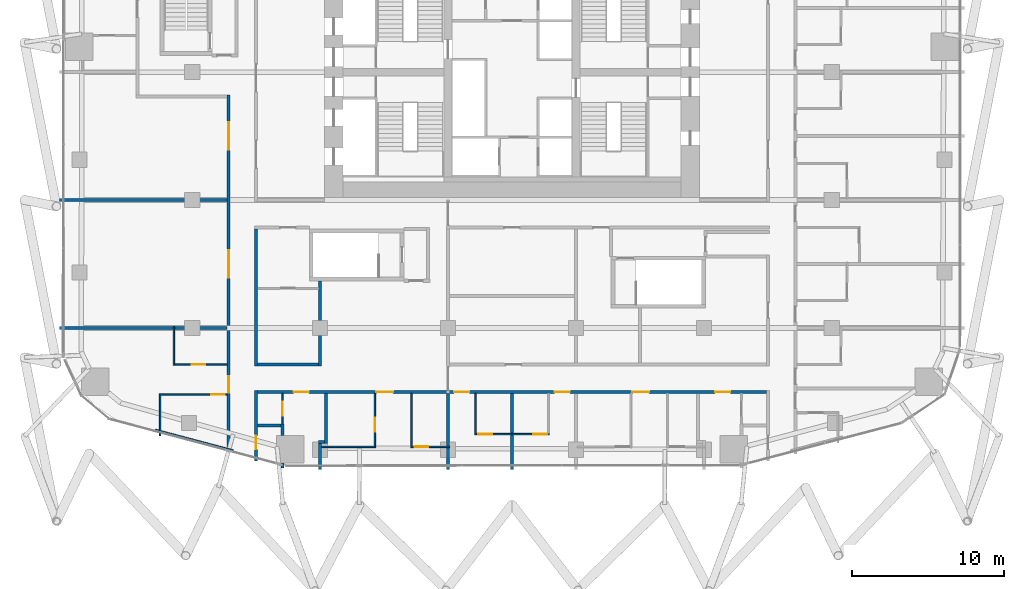
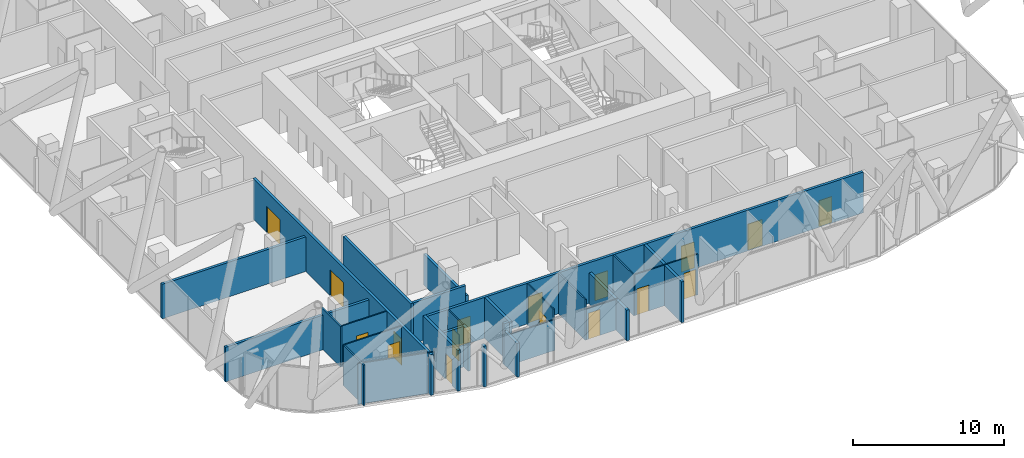
# One storey, part 27 of 36: 28 walls, 17 doors, 17 openings.
"""IFC4 building model written with IfcOpenShell, lengths in metres."""

from ifc_helpers import new_model, si_unit, direction, frame, frame_2d, origin, place, context, subcontext, project, spatial, rectangle, extrude, material, layer, layer_set, type_object, element, fill, save


model = new_model("IFC4")

# Units and contexts
model_context = context("Model", 3, precision=1e-05, world=origin(), true_north=direction((0.0, 1.0)))
body_context = subcontext(model_context, "Body", "Model", "MODEL_VIEW")
ifc_project = project(units=[si_unit("LENGTHUNIT", "METRE"), si_unit("AREAUNIT", "SQUARE_METRE"), si_unit("VOLUMEUNIT", "CUBIC_METRE"), si_unit("PLANEANGLEUNIT", "RADIAN"), si_unit("MASSUNIT", "GRAM", prefix="KILO")], contexts=[model_context])

# Site, building, storey
site_placement = place(None, origin())
site = spatial("IfcSite", under=ifc_project, at=site_placement, CompositionType="ELEMENT")
building_placement = place(site_placement, origin())
building = spatial("IfcBuilding", under=site, at=building_placement, Name="Marenta Gate Hotel Tower", CompositionType="ELEMENT")
storey_placement = place(building_placement, frame((0.0, 0.0, 83.300048828125)))
storey = spatial("IfcBuildingStorey", under=building, at=storey_placement, Name="L19", CompositionType="ELEMENT", Elevation=83.300048828125)

# Wall
ifc_material_1 = material(Name="Concrete blockwork", Category="masonry")
ifc_layer_1 = layer(ifc_material_1, 0.199951171875)
ifc_layer_set_1 = layer_set([ifc_layer_1], Name="Concrete blockwork")
wall_type_1 = type_object("IfcWallType", Name="Compartment wall 200 REI 180", PredefinedType="PARTITIONING", material=ifc_layer_set_1)
wall_1_placement = place(storey_placement, frame((-4.199951171875, -17.699951171875, 0.0), z_axis=(0.0, 0.0, 1.0), x_axis=(0.0, 1.0, 0.0)))
element("IfcWall", 1, at=wall_1_placement, inside=storey, type_object=wall_type_1, Name="L19-PTN-W078", PredefinedType="PARTITIONING", context=body_context, shape_type="SweptSolid", body=[
    extrude(rectangle(XDim=5.0, YDim=0.199951171875, at=frame_2d((2.5, 0.0))), origin(), (0.0, 0.0, 1.0), 2.48583984375),
])

# Wall, opening, door
ifc_material_2 = material(Name="Concrete blockwork", Category="masonry")
ifc_layer_2 = layer(ifc_material_2, 0.199951171875)
ifc_layer_set_2 = layer_set([ifc_layer_2], Name="Concrete blockwork")
wall_type_2 = type_object("IfcWallType", Name="Room corridor wall 200 EI 120", PredefinedType="PARTITIONING", material=ifc_layer_set_2)
wall_2_placement = place(storey_placement, frame((-16.800048828125, -17.14306640625, 0.0), z_axis=(0.0, 0.0, 1.0), x_axis=(0.0, 1.0, 0.0)))
wall_2 = element("IfcWall", 2, at=wall_2_placement, inside=storey, type_object=wall_type_2, Name="L19-PTN-W107", PredefinedType="PARTITIONING", context=body_context, shape_type="SweptSolid", body=[
    extrude(rectangle(XDim=4.64306640625, YDim=0.199951171875, at=frame_2d((2.321533203125, 0.0))), origin(), (0.0, 0.0, 1.0), 3.300048828125),
])
opening_1_placement = place(wall_2_placement, frame((0.77197265625, 0.0, 0.0)))
opening_1 = element("IfcOpeningElement", 3, at=opening_1_placement, cuts=wall_2, Name="Opening G07-78", PredefinedType="OPENING", context=body_context, shape_type="SweptSolid", body=[
    extrude(rectangle(XDim=0.89990234375, YDim=2.10009765625, at=frame_2d((0.449951171875, 1.050048828125))), frame((0.0, 0.10009765625, 0.0), z_axis=(0.0, -1.0, 0.0), x_axis=(1.0, 0.0, 0.0)), (0.0, 0.0, 1.0), 0.199951171875),
])
ifc_material_3 = material(Name="Hollow steel door set", Category="steel")
door_type_1 = type_object("IfcDoorType", Name="Room service door 900x2100 EI 60", OperationType="NOTDEFINED", PredefinedType="DOOR", material=ifc_material_3)
door_1_placement = place(opening_1_placement, origin())
door_1 = element("IfcDoor", 4, at=door_1_placement, inside=storey, type_object=door_type_1, Name="L19-PD-D078", OperationType="SINGLE_SWING_LEFT", OverallHeight=2.10009765625, OverallWidth=0.89990234375, PredefinedType="DOOR", context=body_context, shape_type="SweptSolid", body=[
    extrude(rectangle(XDim=0.89990234375, YDim=2.10009765625, at=frame_2d((0.449951171875, 1.050048828125))), frame((0.0, 0.02490234375, 0.0), z_axis=(0.0, -1.0, 0.0), x_axis=(1.0, 0.0, 0.0)), (0.0, 0.0, 1.0), 0.050048828125),
])
fill(opening_1, door_1)

# Wall, openings, doors
ifc_material_4 = material(Name="Gypsum board on steel stud", Category="steel")
ifc_layer_3 = layer(ifc_material_4, 0.199951171875)
ifc_layer_set_3 = layer_set([ifc_layer_3], Name="Gypsum board on steel stud")
wall_type_3 = type_object("IfcWallType", Name="Room corridor wall 200 EI 60", PredefinedType="PARTITIONING", material=ifc_layer_set_3)
wall_3_placement = place(storey_placement, frame((-16.699951171875, -12.60009765625, 0.0), z_axis=(0.0, 0.0, 1.0), x_axis=(1.0, 0.0, 0.0)))
wall_3 = element("IfcWall", 5, at=wall_3_placement, inside=storey, type_object=wall_type_3, Name="L19-PTN-W037", PredefinedType="PARTITIONING", context=body_context, shape_type="SweptSolid", body=[
    extrude(rectangle(XDim=33.39990234375, YDim=0.199951171875, at=frame_2d((16.699951171875, 0.0))), origin(), (0.0, 0.0, 1.0), 3.300048828125),
])
opening_2_placement = place(wall_3_placement, frame((7.800048828125, 0.0, 0.0)))
opening_2 = element("IfcOpeningElement", 6, at=opening_2_placement, cuts=wall_3, Name="Opening G07-41", PredefinedType="OPENING", context=body_context, shape_type="SweptSolid", body=[
    extrude(rectangle(XDim=1.10009765625, YDim=2.10009765625, at=frame_2d((0.550048828125, 1.050048828125))), frame((0.0, 0.10009765625, 0.0), z_axis=(0.0, -1.0, 0.0), x_axis=(1.0, 0.0, 0.0)), (0.0, 0.0, 1.0), 0.199951171875),
])
opening_3_placement = place(wall_3_placement, frame((12.89990234375, 0.0, 0.0)))
opening_3 = element("IfcOpeningElement", 7, at=opening_3_placement, cuts=wall_3, Name="Opening G07-44", PredefinedType="OPENING", context=body_context, shape_type="SweptSolid", body=[
    extrude(rectangle(XDim=1.0, YDim=2.10009765625, at=frame_2d((0.5, 1.050048828125))), frame((0.0, 0.10009765625, 0.0), z_axis=(0.0, -1.0, 0.0), x_axis=(1.0, 0.0, 0.0)), (0.0, 0.0, 1.0), 0.199951171875),
])
opening_4_placement = place(wall_3_placement, frame((19.5, 0.0, 0.0)))
opening_4 = element("IfcOpeningElement", 8, at=opening_4_placement, cuts=wall_3, Name="Opening G07-46", PredefinedType="OPENING", context=body_context, shape_type="SweptSolid", body=[
    extrude(rectangle(XDim=1.0, YDim=2.10009765625, at=frame_2d((0.5, 1.050048828125))), frame((0.0, 0.10009765625, 0.0), z_axis=(0.0, -1.0, 0.0), x_axis=(1.0, 0.0, 0.0)), (0.0, 0.0, 1.0), 0.199951171875),
])
opening_5_placement = place(wall_3_placement, frame((24.60009765625, 0.0, 0.0)))
opening_5 = element("IfcOpeningElement", 9, at=opening_5_placement, cuts=wall_3, Name="Opening G07-48", PredefinedType="OPENING", context=body_context, shape_type="SweptSolid", body=[
    extrude(rectangle(XDim=1.10009765625, YDim=2.10009765625, at=frame_2d((0.550048828125, 1.050048828125))), frame((0.0, 0.10009765625, 0.0), z_axis=(0.0, -1.0, 0.0), x_axis=(1.0, 0.0, 0.0)), (0.0, 0.0, 1.0), 0.199951171875),
])
opening_6_placement = place(wall_3_placement, frame((2.366943359375, 0.0, 0.0)))
opening_6 = element("IfcOpeningElement", 10, at=opening_6_placement, cuts=wall_3, Name="Opening G07-76", PredefinedType="OPENING", context=body_context, shape_type="SweptSolid", body=[
    extrude(rectangle(XDim=1.0, YDim=2.10009765625, at=frame_2d((0.5, 1.050048828125))), frame((0.0, 0.10009765625, 0.0), z_axis=(0.0, -1.0, 0.0), x_axis=(1.0, 0.0, 0.0)), (0.0, 0.0, 1.0), 0.199951171875),
])
opening_7_placement = place(wall_3_placement, frame((30.032958984375, 0.0, 0.0)))
opening_7 = element("IfcOpeningElement", 11, at=opening_7_placement, cuts=wall_3, Name="Opening G07-79", PredefinedType="OPENING", context=body_context, shape_type="SweptSolid", body=[
    extrude(rectangle(XDim=1.0, YDim=2.10009765625, at=frame_2d((0.5, 1.050048828125))), frame((0.0, 0.10009765625, 0.0), z_axis=(0.0, -1.0, 0.0), x_axis=(1.0, 0.0, 0.0)), (0.0, 0.0, 1.0), 0.199951171875),
])
ifc_material_5 = material(Name="Timber door leaf", Category="wood")
door_type_2 = type_object("IfcDoorType", Name="Guest room door 1000x2100 EI 30", OperationType="NOTDEFINED", PredefinedType="DOOR", material=ifc_material_5)
door_2_placement = place(opening_3_placement, origin())
door_2 = element("IfcDoor", 12, at=door_2_placement, inside=storey, type_object=door_type_2, Name="L19-PD-D044", OperationType="SINGLE_SWING_RIGHT", OverallHeight=2.10009765625, OverallWidth=1.0, PredefinedType="DOOR", context=body_context, shape_type="SweptSolid", body=[
    extrude(rectangle(XDim=1.0, YDim=2.10009765625, at=frame_2d((0.5, 1.050048828125))), frame((0.0, 0.02490234375, 0.0), z_axis=(0.0, -1.0, 0.0), x_axis=(1.0, 0.0, 0.0)), (0.0, 0.0, 1.0), 0.050048828125),
])
fill(opening_3, door_2)
door_3_placement = place(opening_4_placement, origin())
door_3 = element("IfcDoor", 13, at=door_3_placement, inside=storey, type_object=door_type_2, Name="L19-PD-D046", OperationType="SINGLE_SWING_RIGHT", OverallHeight=2.10009765625, OverallWidth=1.0, PredefinedType="DOOR", context=body_context, shape_type="SweptSolid", body=[
    extrude(rectangle(XDim=1.0, YDim=2.10009765625, at=frame_2d((0.5, 1.050048828125))), frame((0.0, 0.02490234375, 0.0), z_axis=(0.0, -1.0, 0.0), x_axis=(1.0, 0.0, 0.0)), (0.0, 0.0, 1.0), 0.050048828125),
])
fill(opening_4, door_3)
door_4_placement = place(opening_6_placement, origin())
door_4 = element("IfcDoor", 14, at=door_4_placement, inside=storey, type_object=door_type_2, Name="L19-PD-D076", OperationType="SINGLE_SWING_RIGHT", OverallHeight=2.10009765625, OverallWidth=1.0, PredefinedType="DOOR", context=body_context, shape_type="SweptSolid", body=[
    extrude(rectangle(XDim=1.0, YDim=2.10009765625, at=frame_2d((0.5, 1.050048828125))), frame((0.0, 0.02490234375, 0.0), z_axis=(0.0, -1.0, 0.0), x_axis=(1.0, 0.0, 0.0)), (0.0, 0.0, 1.0), 0.050048828125),
])
fill(opening_6, door_4)
door_5_placement = place(opening_7_placement, origin())
door_5 = element("IfcDoor", 15, at=door_5_placement, inside=storey, type_object=door_type_2, Name="L19-PD-D079", OperationType="SINGLE_SWING_LEFT", OverallHeight=2.10009765625, OverallWidth=1.0, PredefinedType="DOOR", context=body_context, shape_type="SweptSolid", body=[
    extrude(rectangle(XDim=1.0, YDim=2.10009765625, at=frame_2d((0.5, 1.050048828125))), frame((0.0, 0.02490234375, 0.0), z_axis=(0.0, -1.0, 0.0), x_axis=(1.0, 0.0, 0.0)), (0.0, 0.0, 1.0), 0.050048828125),
])
fill(opening_7, door_5)
ifc_material_6 = material(Name="Timber door leaf", Category="wood")
door_type_3 = type_object("IfcDoorType", Name="Guest room door 1100x2100 EI 30", OperationType="NOTDEFINED", PredefinedType="DOOR", material=ifc_material_6)
door_6_placement = place(opening_2_placement, origin())
door_6 = element("IfcDoor", 16, at=door_6_placement, inside=storey, type_object=door_type_3, Name="L19-PD-D041", OperationType="SINGLE_SWING_RIGHT", OverallHeight=2.10009765625, OverallWidth=1.10009765625, PredefinedType="DOOR", context=body_context, shape_type="SweptSolid", body=[
    extrude(rectangle(XDim=1.10009765625, YDim=2.10009765625, at=frame_2d((0.550048828125, 1.050048828125))), frame((0.0, 0.02490234375, 0.0), z_axis=(0.0, -1.0, 0.0), x_axis=(1.0, 0.0, 0.0)), (0.0, 0.0, 1.0), 0.050048828125),
])
fill(opening_2, door_6)
door_7_placement = place(opening_5_placement, origin())
door_7 = element("IfcDoor", 17, at=door_7_placement, inside=storey, type_object=door_type_3, Name="L19-PD-D048", OperationType="SINGLE_SWING_RIGHT", OverallHeight=2.10009765625, OverallWidth=1.10009765625, PredefinedType="DOOR", context=body_context, shape_type="SweptSolid", body=[
    extrude(rectangle(XDim=1.10009765625, YDim=2.10009765625, at=frame_2d((0.550048828125, 1.050048828125))), frame((0.0, 0.02490234375, 0.0), z_axis=(0.0, -1.0, 0.0), x_axis=(1.0, 0.0, 0.0)), (0.0, 0.0, 1.0), 0.050048828125),
])
fill(opening_5, door_7)

# Walls
wall_4_placement = place(storey_placement, frame((-16.699951171875, -10.800048828125, 0.0), z_axis=(0.0, 0.0, 1.0), x_axis=(1.0, 0.0, 0.0)))
element("IfcWall", 18, at=wall_4_placement, inside=storey, type_object=wall_type_3, Name="L19-PTN-W042", PredefinedType="PARTITIONING", context=body_context, shape_type="SweptSolid", body=[
    extrude(rectangle(XDim=4.0, YDim=0.199951171875, at=frame_2d((2.0, 0.0))), origin(), (0.0, 0.0, 1.0), 3.300048828125),
])
wall_5_placement = place(storey_placement, frame((-12.60009765625, -10.89990234375, 0.0), z_axis=(0.0, 0.0, 1.0), x_axis=(0.0, 1.0, 0.0)))
element("IfcWall", 19, at=wall_5_placement, inside=storey, type_object=wall_type_3, Name="L19-PTN-W099", PredefinedType="PARTITIONING", context=body_context, shape_type="SweptSolid", body=[
    extrude(rectangle(XDim=5.599853515625, YDim=0.199951171875, at=frame_2d((2.7998046875, 0.0))), origin(), (0.0, 0.0, 1.0), 2.48583984375),
])
wall_6_placement = place(storey_placement, frame((-16.800048828125, -10.89990234375, 0.0), z_axis=(0.0, 0.0, 1.0), x_axis=(0.0, 1.0, 0.0)))
element("IfcWall", 20, at=wall_6_placement, inside=storey, type_object=wall_type_3, Name="L19-PTN-W108", PredefinedType="PARTITIONING", context=body_context, shape_type="SweptSolid", body=[
    extrude(rectangle(XDim=9.0, YDim=0.199951171875, at=frame_2d((4.5, 0.0))), origin(), (0.0, 0.0, 1.0), 3.300048828125),
])

# Wall, openings, doors
wall_7_placement = place(storey_placement, frame((-18.60009765625, -16.6650390625, 0.0), z_axis=(0.0, 0.0, 1.0), x_axis=(0.0, 1.0, 0.0)))
wall_7 = element("IfcWall", 21, at=wall_7_placement, inside=storey, type_object=wall_type_3, Name="L19-PTN-W116", PredefinedType="PARTITIONING", context=body_context, shape_type="SweptSolid", body=[
    extrude(rectangle(XDim=23.56494140625, YDim=0.199951171875, at=frame_2d((11.782470703125, 0.0))), origin(), (0.0, 0.0, 1.0), 3.300048828125),
])
opening_8_placement = place(wall_7_placement, frame((4.0, 0.0, 0.0)))
opening_8 = element("IfcOpeningElement", 22, at=opening_8_placement, cuts=wall_7, Name="Opening G07-51", PredefinedType="OPENING", context=body_context, shape_type="SweptSolid", body=[
    extrude(rectangle(XDim=1.10009765625, YDim=2.10009765625, at=frame_2d((0.550048828125, 1.050048828125))), frame((0.0, 0.10009765625, 0.0), z_axis=(0.0, -1.0, 0.0), x_axis=(1.0, 0.0, 0.0)), (0.0, 0.0, 1.0), 0.199951171875),
])
opening_9_placement = place(wall_7_placement, frame((11.56494140625, 0.0, 0.0)))
opening_9 = element("IfcOpeningElement", 23, at=opening_9_placement, cuts=wall_7, Name="Opening G07-54", PredefinedType="OPENING", context=body_context, shape_type="SweptSolid", body=[
    extrude(rectangle(XDim=1.800048828125, YDim=2.10009765625, at=frame_2d((0.89990234375, 1.050048828125))), frame((0.0, 0.10009765625, 0.0), z_axis=(0.0, -1.0, 0.0), x_axis=(1.0, 0.0, 0.0)), (0.0, 0.0, 1.0), 0.199951171875),
])
opening_10_placement = place(wall_7_placement, frame((19.965087890625, 0.0, 0.0)))
opening_10 = element("IfcOpeningElement", 24, at=opening_10_placement, cuts=wall_7, Name="Opening G07-55", PredefinedType="OPENING", context=body_context, shape_type="SweptSolid", body=[
    extrude(rectangle(XDim=1.800048828125, YDim=2.10009765625, at=frame_2d((0.89990234375, 1.050048828125))), frame((0.0, 0.10009765625, 0.0), z_axis=(0.0, -1.0, 0.0), x_axis=(1.0, 0.0, 0.0)), (0.0, 0.0, 1.0), 0.199951171875),
])
door_8_placement = place(opening_8_placement, origin())
door_8 = element("IfcDoor", 25, at=door_8_placement, inside=storey, type_object=door_type_3, Name="L19-PD-D051", OperationType="SINGLE_SWING_LEFT", OverallHeight=2.10009765625, OverallWidth=1.10009765625, PredefinedType="DOOR", context=body_context, shape_type="SweptSolid", body=[
    extrude(rectangle(XDim=1.10009765625, YDim=2.10009765625, at=frame_2d((0.550048828125, 1.050048828125))), frame((0.0, 0.02490234375, 0.0), z_axis=(0.0, -1.0, 0.0), x_axis=(1.0, 0.0, 0.0)), (0.0, 0.0, 1.0), 0.050048828125),
])
fill(opening_8, door_8)
ifc_material_7 = material(Name="Timber door leaf", Category="wood")
door_type_4 = type_object("IfcDoorType", Name="Room amenity door 1800x2100 EI 30", OperationType="DOUBLE_DOOR_SINGLE_SWING", PredefinedType="DOOR", material=ifc_material_7)
door_9_placement = place(opening_9_placement, origin())
door_9 = element("IfcDoor", 26, at=door_9_placement, inside=storey, type_object=door_type_4, Name="L19-PD-D054", OperationType="DOUBLE_DOOR_SINGLE_SWING", OverallHeight=2.10009765625, OverallWidth=1.800048828125, PredefinedType="DOOR", context=body_context, shape_type="SweptSolid", body=[
    extrude(rectangle(XDim=1.800048828125, YDim=2.10009765625, at=frame_2d((0.89990234375, 1.050048828125))), frame((0.0, 0.02490234375, 0.0), z_axis=(0.0, -1.0, 0.0), x_axis=(1.0, 0.0, 0.0)), (0.0, 0.0, 1.0), 0.050048828125),
])
fill(opening_9, door_9)
door_10_placement = place(opening_10_placement, origin())
door_10 = element("IfcDoor", 27, at=door_10_placement, inside=storey, type_object=door_type_4, Name="L19-PD-D055", OperationType="DOUBLE_DOOR_SINGLE_SWING", OverallHeight=2.10009765625, OverallWidth=1.800048828125, PredefinedType="DOOR", context=body_context, shape_type="SweptSolid", body=[
    extrude(rectangle(XDim=1.800048828125, YDim=2.10009765625, at=frame_2d((0.89990234375, 1.050048828125))), frame((0.0, 0.02490234375, 0.0), z_axis=(0.0, -1.0, 0.0), x_axis=(1.0, 0.0, 0.0)), (0.0, 0.0, 1.0), 0.050048828125),
])
fill(opening_10, door_10)

# Walls
ifc_material_8 = material(Name="Gypsum board on steel stud", Category="steel")
ifc_layer_4 = layer(ifc_material_8, 0.10009765625)
ifc_layer_set_4 = layer_set([ifc_layer_4], Name="Gypsum board on steel stud")
wall_type_4 = type_object("IfcWallType", Name="Room partition 100", PredefinedType="PARTITIONING", material=ifc_layer_set_4)
wall_8_placement = place(storey_placement, frame((-23.389892578125, -15.093994140625, 0.0), z_axis=(0.0, 0.0, 1.0), x_axis=(0.966552628131, -0.256468354876, 0.0)))
element("IfcWall", 28, at=wall_8_placement, inside=storey, type_object=wall_type_4, Name="L19-PTN-W013", PredefinedType="PARTITIONING", context=body_context, shape_type="SweptSolid", body=[
    extrude(rectangle(XDim=5.255615234375, YDim=0.10009765625, at=frame_2d((2.6279296875, 0.0))), origin(), (0.0, 0.0, 1.0), 3.300048828125),
])
wall_9_placement = place(storey_placement, frame((-12.5, -16.199951171875, 0.0), z_axis=(0.0, 0.0, 1.0), x_axis=(1.0, 0.0, 0.0)))
element("IfcWall", 29, at=wall_9_placement, inside=storey, type_object=wall_type_4, Name="L19-PTN-W020", PredefinedType="PARTITIONING", context=body_context, shape_type="SweptSolid", body=[
    extrude(rectangle(XDim=3.550048828125, YDim=0.10009765625, at=frame_2d((1.77490234375, 0.0))), origin(), (0.0, 0.0, 1.0), 2.48583984375),
])

# Wall, opening, door
wall_10_placement = place(storey_placement, frame((-6.550048828125, -16.199951171875, 0.0), z_axis=(0.0, 0.0, 1.0), x_axis=(1.0, 0.0, 0.0)))
wall_10 = element("IfcWall", 30, at=wall_10_placement, inside=storey, type_object=wall_type_4, Name="L19-PTN-W021", PredefinedType="PARTITIONING", context=body_context, shape_type="SweptSolid", body=[
    extrude(rectangle(XDim=2.449951171875, YDim=0.10009765625, at=frame_2d((1.22509765625, 0.0))), origin(), (0.0, 0.0, 1.0), 2.48583984375),
])
opening_11_placement = place(wall_10_placement, frame((0.14990234375, 0.0, 0.0)))
opening_11 = element("IfcOpeningElement", 31, at=opening_11_placement, cuts=wall_10, Name="Opening G07-43", PredefinedType="OPENING", context=body_context, shape_type="SweptSolid", body=[
    extrude(rectangle(XDim=0.89990234375, YDim=2.10009765625, at=frame_2d((0.449951171875, 1.050048828125))), frame((0.0, 0.050048828125, 0.0), z_axis=(0.0, -1.0, 0.0), x_axis=(1.0, 0.0, 0.0)), (0.0, 0.0, 1.0), 0.10009765625),
])
ifc_material_9 = material(Name="Timber door leaf", Category="wood")
door_type_5 = type_object("IfcDoorType", Name="Room inner door 900x2100", OperationType="NOTDEFINED", PredefinedType="DOOR", material=ifc_material_9)
door_11_placement = place(opening_11_placement, origin())
door_11 = element("IfcDoor", 32, at=door_11_placement, inside=storey, type_object=door_type_5, Name="L19-PD-D043", OperationType="SINGLE_SWING_LEFT", OverallHeight=2.10009765625, OverallWidth=0.89990234375, PredefinedType="DOOR", context=body_context, shape_type="SweptSolid", body=[
    extrude(rectangle(XDim=0.89990234375, YDim=2.10009765625, at=frame_2d((0.449951171875, 1.050048828125))), frame((0.0, 0.02490234375, 0.0), z_axis=(0.0, -1.0, 0.0), x_axis=(1.0, 0.0, 0.0)), (0.0, 0.0, 1.0), 0.050048828125),
])
fill(opening_11, door_11)

# Wall, openings, doors
wall_11_placement = place(storey_placement, frame((-2.35009765625, -15.375, 0.0), z_axis=(0.0, 0.0, 1.0), x_axis=(1.0, 0.0, 0.0)))
wall_11 = element("IfcWall", 33, at=wall_11_placement, inside=storey, type_object=wall_type_4, Name="L19-PTN-W026", PredefinedType="PARTITIONING", context=body_context, shape_type="SweptSolid", body=[
    extrude(rectangle(XDim=4.800048828125, YDim=0.10009765625, at=frame_2d((2.39990234375, 0.0))), origin(), (0.0, 0.0, 1.0), 3.300048828125),
])
opening_12_placement = place(wall_11_placement, frame((0.14990234375, 0.0, 0.0)))
opening_12 = element("IfcOpeningElement", 34, at=opening_12_placement, cuts=wall_11, Name="Opening G07-45", PredefinedType="OPENING", context=body_context, shape_type="SweptSolid", body=[
    extrude(rectangle(XDim=0.89990234375, YDim=2.10009765625, at=frame_2d((0.449951171875, 1.050048828125))), frame((0.0, 0.050048828125, 0.0), z_axis=(0.0, -1.0, 0.0), x_axis=(1.0, 0.0, 0.0)), (0.0, 0.0, 1.0), 0.10009765625),
])
opening_13_placement = place(wall_11_placement, frame((3.75, 0.0, 0.0)))
opening_13 = element("IfcOpeningElement", 35, at=opening_13_placement, cuts=wall_11, Name="Opening G07-47", PredefinedType="OPENING", context=body_context, shape_type="SweptSolid", body=[
    extrude(rectangle(XDim=0.89990234375, YDim=2.10009765625, at=frame_2d((0.449951171875, 1.050048828125))), frame((0.0, 0.050048828125, 0.0), z_axis=(0.0, -1.0, 0.0), x_axis=(1.0, 0.0, 0.0)), (0.0, 0.0, 1.0), 0.10009765625),
])
ifc_material_10 = material(Name="Timber door leaf", Category="wood")
door_type_6 = type_object("IfcDoorType", Name="Guest bathroom door 900x2100", OperationType="NOTDEFINED", PredefinedType="DOOR", material=ifc_material_10)
door_12_placement = place(opening_12_placement, origin())
door_12 = element("IfcDoor", 36, at=door_12_placement, inside=storey, type_object=door_type_6, Name="L19-PD-D045", OperationType="SINGLE_SWING_LEFT", OverallHeight=2.10009765625, OverallWidth=0.89990234375, PredefinedType="DOOR", context=body_context, shape_type="SweptSolid", body=[
    extrude(rectangle(XDim=0.89990234375, YDim=2.10009765625, at=frame_2d((0.449951171875, 1.050048828125))), frame((0.0, 0.02490234375, 0.0), z_axis=(0.0, -1.0, 0.0), x_axis=(1.0, 0.0, 0.0)), (0.0, 0.0, 1.0), 0.050048828125),
])
fill(opening_12, door_12)
door_13_placement = place(opening_13_placement, origin())
door_13 = element("IfcDoor", 37, at=door_13_placement, inside=storey, type_object=door_type_6, Name="L19-PD-D047", OperationType="SINGLE_SWING_RIGHT", OverallHeight=2.10009765625, OverallWidth=0.89990234375, PredefinedType="DOOR", context=body_context, shape_type="SweptSolid", body=[
    extrude(rectangle(XDim=0.89990234375, YDim=2.10009765625, at=frame_2d((0.449951171875, 1.050048828125))), frame((0.0, 0.02490234375, 0.0), z_axis=(0.0, -1.0, 0.0), x_axis=(1.0, 0.0, 0.0)), (0.0, 0.0, 1.0), 0.050048828125),
])
fill(opening_13, door_13)

# Wall, opening, door
wall_12_placement = place(storey_placement, frame((-23.14990234375, -12.764892578125, 0.0), z_axis=(0.0, 0.0, 1.0), x_axis=(1.0, 0.0, 0.0)))
wall_12 = element("IfcWall", 38, at=wall_12_placement, inside=storey, type_object=wall_type_4, Name="L19-PTN-W033", PredefinedType="PARTITIONING", context=body_context, shape_type="SweptSolid", body=[
    extrude(rectangle(XDim=4.449951171875, YDim=0.10009765625, at=frame_2d((2.22509765625, 0.0))), origin(), (0.0, 0.0, 1.0), 3.300048828125),
])
opening_14_placement = place(wall_12_placement, frame((3.39990234375, 0.0, 0.0)))
opening_14 = element("IfcOpeningElement", 39, at=opening_14_placement, cuts=wall_12, Name="Opening G07-52", PredefinedType="OPENING", context=body_context, shape_type="SweptSolid", body=[
    extrude(rectangle(XDim=0.89990234375, YDim=2.10009765625, at=frame_2d((0.449951171875, 1.050048828125))), frame((0.0, 0.050048828125, 0.0), z_axis=(0.0, -1.0, 0.0), x_axis=(1.0, 0.0, 0.0)), (0.0, 0.0, 1.0), 0.10009765625),
])
door_14_placement = place(opening_14_placement, origin())
door_14 = element("IfcDoor", 40, at=door_14_placement, inside=storey, type_object=door_type_6, Name="L19-PD-D052", OperationType="SINGLE_SWING_LEFT", OverallHeight=2.10009765625, OverallWidth=0.89990234375, PredefinedType="DOOR", context=body_context, shape_type="SweptSolid", body=[
    extrude(rectangle(XDim=0.89990234375, YDim=2.10009765625, at=frame_2d((0.449951171875, 1.050048828125))), frame((0.0, 0.02490234375, 0.0), z_axis=(0.0, -1.0, 0.0), x_axis=(1.0, 0.0, 0.0)), (0.0, 0.0, 1.0), 0.050048828125),
])
fill(opening_14, door_14)

wall_13_placement = place(storey_placement, frame((-22.14990234375, -10.800048828125, 0.0), z_axis=(0.0, 0.0, 1.0), x_axis=(1.0, 0.0, 0.0)))
wall_13 = element("IfcWall", 41, at=wall_13_placement, inside=storey, type_object=wall_type_4, Name="L19-PTN-W040", PredefinedType="PARTITIONING", context=body_context, shape_type="SweptSolid", body=[
    extrude(rectangle(XDim=3.449951171875, YDim=0.10009765625, at=frame_2d((1.72509765625, 0.0))), origin(), (0.0, 0.0, 1.0), 3.300048828125),
])
opening_15_placement = place(wall_13_placement, frame((1.1201171875, 0.0, 0.0)))
opening_15 = element("IfcOpeningElement", 42, at=opening_15_placement, cuts=wall_13, Name="Opening G07-53", PredefinedType="OPENING", context=body_context, shape_type="SweptSolid", body=[
    extrude(rectangle(XDim=0.89990234375, YDim=2.10009765625, at=frame_2d((0.449951171875, 1.050048828125))), frame((0.0, 0.050048828125, 0.0), z_axis=(0.0, -1.0, 0.0), x_axis=(1.0, 0.0, 0.0)), (0.0, 0.0, 1.0), 0.10009765625),
])
door_15_placement = place(opening_15_placement, origin())
door_15 = element("IfcDoor", 43, at=door_15_placement, inside=storey, type_object=door_type_5, Name="L19-PD-D053", OperationType="SINGLE_SWING_LEFT", OverallHeight=2.10009765625, OverallWidth=0.89990234375, PredefinedType="DOOR", context=body_context, shape_type="SweptSolid", body=[
    extrude(rectangle(XDim=0.89990234375, YDim=2.10009765625, at=frame_2d((0.449951171875, 1.050048828125))), frame((0.0, 0.02490234375, 0.0), z_axis=(0.0, -1.0, 0.0), x_axis=(1.0, 0.0, 0.0)), (0.0, 0.0, 1.0), 0.050048828125),
])
fill(opening_15, door_15)

# Walls
wall_14_placement = place(storey_placement, frame((-2.39990234375, -15.425048828125, 0.0), z_axis=(0.0, 0.0, 1.0), x_axis=(0.0, 1.0, 0.0)))
element("IfcWall", 44, at=wall_14_placement, inside=storey, type_object=wall_type_4, Name="L19-PTN-W076", PredefinedType="PARTITIONING", context=body_context, shape_type="SweptSolid", body=[
    extrude(rectangle(XDim=2.72509765625, YDim=0.10009765625, at=frame_2d((1.362548828125, 0.0))), origin(), (0.0, 0.0, 1.0), 3.300048828125),
])
wall_15_placement = place(storey_placement, frame((-6.60009765625, -16.25, 0.0), z_axis=(0.0, 0.0, 1.0), x_axis=(0.0, 1.0, 0.0)))
element("IfcWall", 45, at=wall_15_placement, inside=storey, type_object=wall_type_4, Name="L19-PTN-W085", PredefinedType="PARTITIONING", context=body_context, shape_type="SweptSolid", body=[
    extrude(rectangle(XDim=3.550048828125, YDim=0.10009765625, at=frame_2d((1.77490234375, 0.0))), origin(), (0.0, 0.0, 1.0), 3.300048828125),
])

# Wall, opening, door
wall_16_placement = place(storey_placement, frame((-9.0, -16.14990234375, 0.0), z_axis=(0.0, 0.0, 1.0), x_axis=(0.0, 1.0, 0.0)))
wall_16 = element("IfcWall", 46, at=wall_16_placement, inside=storey, type_object=wall_type_4, Name="L19-PTN-W091", PredefinedType="PARTITIONING", context=body_context, shape_type="SweptSolid", body=[
    extrude(rectangle(XDim=3.449951171875, YDim=0.10009765625, at=frame_2d((1.72509765625, 0.0))), origin(), (0.0, 0.0, 1.0), 3.300048828125),
])
opening_16_placement = place(wall_16_placement, frame((0.93994140625, 0.0, 0.0)))
opening_16 = element("IfcOpeningElement", 47, at=opening_16_placement, cuts=wall_16, Name="Opening G07-42", PredefinedType="OPENING", context=body_context, shape_type="SweptSolid", body=[
    extrude(rectangle(XDim=0.89990234375, YDim=2.10009765625, at=frame_2d((0.449951171875, 1.050048828125))), frame((0.0, 0.050048828125, 0.0), z_axis=(0.0, -1.0, 0.0), x_axis=(1.0, 0.0, 0.0)), (0.0, 0.0, 1.0), 0.10009765625),
])
door_16_placement = place(opening_16_placement, origin())
door_16 = element("IfcDoor", 48, at=door_16_placement, inside=storey, type_object=door_type_6, Name="L19-PD-D042", OperationType="SINGLE_SWING_LEFT", OverallHeight=2.10009765625, OverallWidth=0.89990234375, PredefinedType="DOOR", context=body_context, shape_type="SweptSolid", body=[
    extrude(rectangle(XDim=0.89990234375, YDim=2.10009765625, at=frame_2d((0.449951171875, 1.050048828125))), frame((0.0, 0.02490234375, 0.0), z_axis=(0.0, -1.0, 0.0), x_axis=(1.0, 0.0, 0.0)), (0.0, 0.0, 1.0), 0.050048828125),
])
fill(opening_16, door_16)

wall_17_placement = place(storey_placement, frame((-15.06591796875, -14.89990234375, 0.0), z_axis=(0.0, 0.0, 1.0), x_axis=(0.0, 1.0, 0.0)))
wall_17 = element("IfcWall", 49, at=wall_17_placement, inside=storey, type_object=wall_type_4, Name="L19-PTN-W105", PredefinedType="PARTITIONING", context=body_context, shape_type="SweptSolid", body=[
    extrude(rectangle(XDim=2.199951171875, YDim=0.10009765625, at=frame_2d((1.10009765625, 0.0))), origin(), (0.0, 0.0, 1.0), 3.300048828125),
])
opening_17_placement = place(wall_17_placement, frame((0.75, 0.0, 0.0)))
opening_17 = element("IfcOpeningElement", 50, at=opening_17_placement, cuts=wall_17, Name="Opening G07-77", PredefinedType="OPENING", context=body_context, shape_type="SweptSolid", body=[
    extrude(rectangle(XDim=0.89990234375, YDim=2.10009765625, at=frame_2d((0.449951171875, 1.050048828125))), frame((0.0, 0.050048828125, 0.0), z_axis=(0.0, -1.0, 0.0), x_axis=(1.0, 0.0, 0.0)), (0.0, 0.0, 1.0), 0.10009765625),
])
door_17_placement = place(opening_17_placement, origin())
door_17 = element("IfcDoor", 51, at=door_17_placement, inside=storey, type_object=door_type_6, Name="L19-PD-D077", OperationType="SINGLE_SWING_RIGHT", OverallHeight=2.10009765625, OverallWidth=0.89990234375, PredefinedType="DOOR", context=body_context, shape_type="SweptSolid", body=[
    extrude(rectangle(XDim=0.89990234375, YDim=2.10009765625, at=frame_2d((0.449951171875, 1.050048828125))), frame((0.0, 0.02490234375, 0.0), z_axis=(0.0, -1.0, 0.0), x_axis=(1.0, 0.0, 0.0)), (0.0, 0.0, 1.0), 0.050048828125),
])
fill(opening_17, door_17)

# Walls
wall_18_placement = place(storey_placement, frame((-22.199951171875, -10.85009765625, 0.0), z_axis=(0.0, 0.0, 1.0), x_axis=(0.0, 1.0, 0.0)))
element("IfcWall", 52, at=wall_18_placement, inside=storey, type_object=wall_type_4, Name="L19-PTN-W128", PredefinedType="PARTITIONING", context=body_context, shape_type="SweptSolid", body=[
    extrude(rectangle(XDim=2.550048828125, YDim=0.10009765625, at=frame_2d((1.27490234375, 0.0))), origin(), (0.0, 0.0, 1.0), 3.300048828125),
])
wall_19_placement = place(storey_placement, frame((-23.10009765625, -15.470947265625, 0.0), z_axis=(0.0, 0.0, 1.0), x_axis=(0.0, 1.0, 0.0)))
element("IfcWall", 53, at=wall_19_placement, inside=storey, type_object=wall_type_4, Name="L19-PTN-W130", PredefinedType="PARTITIONING", context=body_context, shape_type="SweptSolid", body=[
    extrude(rectangle(XDim=2.656005859375, YDim=0.10009765625, at=frame_2d((1.328125, 0.0))), origin(), (0.0, 0.0, 1.0), 3.300048828125),
])
ifc_material_11 = material(Name="Concrete blockwork", Category="masonry")
ifc_layer_5 = layer(ifc_material_11, 0.199951171875)
ifc_layer_set_5 = layer_set([ifc_layer_5], Name="Concrete blockwork")
wall_type_5 = type_object("IfcWallType", Name="Room party wall 200 EI 120", PredefinedType="PARTITIONING", material=ifc_layer_set_5)
wall_20_placement = place(storey_placement, frame((-16.699951171875, -14.800048828125, 0.0), z_axis=(0.0, 0.0, 1.0), x_axis=(1.0, 0.0, 0.0)))
element("IfcWall", 54, at=wall_20_placement, inside=storey, type_object=wall_type_5, Name="L19-PTN-W029", PredefinedType="PARTITIONING", context=body_context, shape_type="SweptSolid", body=[
    extrude(rectangle(XDim=1.583984375, YDim=0.199951171875, at=frame_2d((0.7919921875, 0.0))), origin(), (0.0, 0.0, 1.0), 3.300048828125),
])
wall_21_placement = place(storey_placement, frame((-15.06591796875, -17.593017578125, 0.0), z_axis=(0.0, 0.0, 1.0), x_axis=(0.0, 1.0, 0.0)))
element("IfcWall", 55, at=wall_21_placement, inside=storey, type_object=wall_type_5, Name="L19-PTN-W104", PredefinedType="PARTITIONING", context=body_context, shape_type="SweptSolid", body=[
    extrude(rectangle(XDim=0.318115234375, YDim=0.199951171875, at=frame_2d((0.1591796875, 0.0))), origin(), (0.0, 0.0, 1.0), 3.300048828125),
])
wall_22_placement = place(storey_placement, frame((-15.06591796875, -15.47509765625, 0.0), z_axis=(0.0, 0.0, 1.0), x_axis=(0.0, 1.0, 0.0)))
element("IfcWall", 56, at=wall_22_placement, inside=storey, type_object=wall_type_5, Name="L19-PTN-W152", PredefinedType="PARTITIONING", context=body_context, shape_type="SweptSolid", body=[
    extrude(rectangle(XDim=0.775146484375, YDim=0.199951171875, at=frame_2d((0.3876953125, 0.0))), origin(), (0.0, 0.0, 1.0), 3.300048828125),
])
ifc_material_12 = material(Name="Gypsum board on steel stud", Category="steel")
ifc_layer_6 = layer(ifc_material_12, 0.199951171875)
ifc_layer_set_6 = layer_set([ifc_layer_6], Name="Gypsum board on steel stud")
wall_type_6 = type_object("IfcWallType", Name="Room party wall 200 EI 60", PredefinedType="PARTITIONING", material=ifc_layer_set_6)
wall_23_placement = place(storey_placement, frame((-12.699951171875, -15.89990234375, 0.0), z_axis=(0.0, 0.0, 1.0), x_axis=(1.0, 0.0, 0.0)))
element("IfcWall", 57, at=wall_23_placement, inside=storey, type_object=wall_type_6, Name="L19-PTN-W024", PredefinedType="PARTITIONING", context=body_context, shape_type="SweptSolid", body=[
    extrude(rectangle(XDim=0.39990234375, YDim=0.199951171875, at=frame_2d((0.199951171875, 0.0))), origin(), (0.0, 0.0, 1.0), 3.300048828125),
])
wall_24_placement = place(storey_placement, frame((-29.699951171875, -8.39990234375, 0.0), z_axis=(0.0, 0.0, 1.0), x_axis=(1.0, 0.0, 0.0)))
element("IfcWall", 58, at=wall_24_placement, inside=storey, type_object=wall_type_6, Name="L19-PTN-W046", PredefinedType="PARTITIONING", context=body_context, shape_type="SweptSolid", body=[
    extrude(rectangle(XDim=11.0, YDim=0.199951171875, at=frame_2d((5.5, 0.0))), origin(), (0.0, 0.0, 1.0), 2.800048828125),
])
wall_25_placement = place(storey_placement, frame((0.0, -17.699951171875, 0.0), z_axis=(0.0, 0.0, 1.0), x_axis=(0.0, 1.0, 0.0)))
element("IfcWall", 59, at=wall_25_placement, inside=storey, type_object=wall_type_6, Name="L19-PTN-W071", PredefinedType="PARTITIONING", context=body_context, shape_type="SweptSolid", body=[
    extrude(rectangle(XDim=5.0, YDim=0.199951171875, at=frame_2d((2.5, 0.0))), origin(), (0.0, 0.0, 1.0), 3.300048828125),
])
wall_26_placement = place(storey_placement, frame((-29.699951171875, 0.0, 0.0), z_axis=(0.0, 0.0, 1.0), x_axis=(1.0, 0.0, 0.0)))
element("IfcWall", 60, at=wall_26_placement, inside=storey, type_object=wall_type_6, Name="L19-PTN-W073", PredefinedType="PARTITIONING", context=body_context, shape_type="SweptSolid", body=[
    extrude(rectangle(XDim=11.0, YDim=0.199951171875, at=frame_2d((5.5, 0.0))), origin(), (0.0, 0.0, 1.0), 2.800048828125),
])
wall_27_placement = place(storey_placement, frame((-12.199951171875, -16.0, 0.0), z_axis=(0.0, 0.0, 1.0), x_axis=(0.0, 1.0, 0.0)))
element("IfcWall", 61, at=wall_27_placement, inside=storey, type_object=wall_type_6, Name="L19-PTN-W095", PredefinedType="PARTITIONING", context=body_context, shape_type="SweptSolid", body=[
    extrude(rectangle(XDim=3.300048828125, YDim=0.199951171875, at=frame_2d((1.64990234375, 0.0))), origin(), (0.0, 0.0, 1.0), 3.300048828125),
])
wall_28_placement = place(storey_placement, frame((-12.60009765625, -17.699951171875, 0.0), z_axis=(0.0, 0.0, 1.0), x_axis=(0.0, 1.0, 0.0)))
element("IfcWall", 62, at=wall_28_placement, inside=storey, type_object=wall_type_6, Name="L19-PTN-W096", PredefinedType="PARTITIONING", context=body_context, shape_type="SweptSolid", body=[
    extrude(rectangle(XDim=1.699951171875, YDim=0.199951171875, at=frame_2d((0.85009765625, 0.0))), origin(), (0.0, 0.0, 1.0), 2.741943359375),
])

save(model, "model.ifc")
